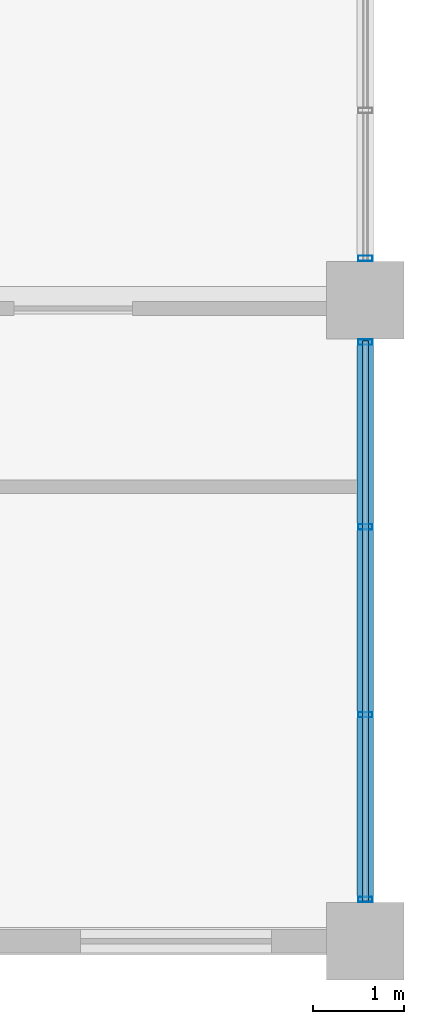
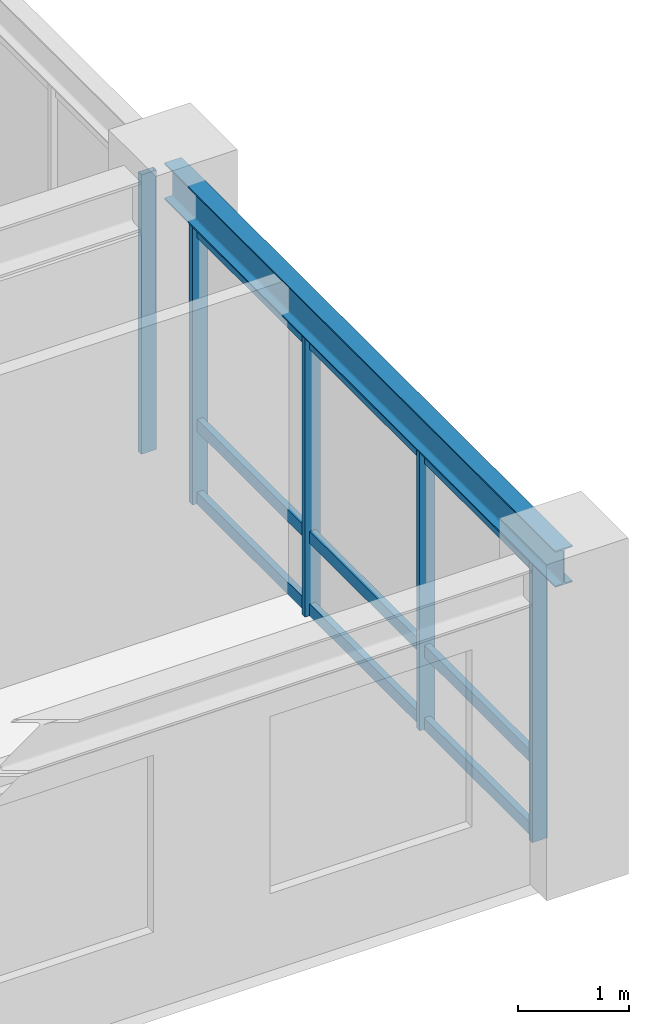
# One storey, part 2 of 11: 8 members, 1 beam, 2 elements without a shape of their own.
"""IFC4 building model written with IfcOpenShell, lengths in metres."""

from ifc_helpers import new_model, si_unit, direction, frame, origin, origin_2d, place, context, subcontext, project, spatial, hollow_rectangle, i_section, extrude, source, transform, mapped, material, layer, layer_set, material_profile, profile_set, type_object, element, aggregate, save


model = new_model("IFC4")

# Units and contexts
model_context = context("Model", 3, precision=1e-05, world=origin(), true_north=direction((0.0, 1.0)))
body_context = subcontext(model_context, "Body", "Model", "MODEL_VIEW")
ifc_project = project(units=[si_unit("LENGTHUNIT", "METRE"), si_unit("AREAUNIT", "SQUARE_METRE"), si_unit("VOLUMEUNIT", "CUBIC_METRE"), si_unit("PLANEANGLEUNIT", "RADIAN"), si_unit("MASSUNIT", "GRAM", prefix="KILO")], contexts=[model_context])

# Site, building, storey
site_placement = place(None, origin())
site = spatial("IfcSite", under=ifc_project, at=site_placement, CompositionType="ELEMENT")
building_placement = place(site_placement, origin())
building = spatial("IfcBuilding", under=site, at=building_placement, Name="Kaliganga Portal Commons", CompositionType="ELEMENT")
storey_placement = place(building_placement, frame((0.0, 0.0, 261.0)))
storey = spatial("IfcBuildingStorey", under=building, at=storey_placement, Name="L67", CompositionType="ELEMENT", Elevation=261.0)

# Beam
ifc_material_1 = material(Name="Structural steel S355J2", Category="steel")
ifc_material_profile_1 = material_profile(ifc_material_1, i_section(OverallWidth=0.179931640625, OverallDepth=0.39990234375, WebThickness=0.008544921875, FlangeThickness=0.013427734375, FilletRadius=0.02099609375, at=origin_2d()), Name="IPE 400")
ifc_profile_set_1 = profile_set([ifc_material_profile_1], Name="Structural steel S355J2 wide-flange")
beam_type = type_object("IfcBeamType", Name="BM-FLR-400", PredefinedType="BEAM", material=ifc_profile_set_1)
shared_shape_1 = source(origin(), body_context, "Body", "SweptSolid", [
    extrude(i_section(OverallWidth=0.179931640625, OverallDepth=0.39990234375, WebThickness=0.008544921875, FlangeThickness=0.013427734375, FilletRadius=0.02099609375, at=origin_2d()), origin(), (0.0, 0.0, 1.0), 7.0498046875),
])
beam_placement = place(storey_placement, frame((46.800048828125, 21.60009765625, 3.27490234375), z_axis=(0.0, 1.0, 0.0), x_axis=(-1.0, 0.0, 0.0)))
element("IfcBeam", 1, at=beam_placement, inside=storey, type_object=beam_type, Name="BM G L67 AS468", PredefinedType="BEAM", context=body_context, shape_type="MappedRepresentation", body=[
    mapped(shared_shape_1, transform((0.0, 0.0, 0.0), x_axis=(1.0, 0.0, 0.0), y_axis=(0.0, 1.0, 0.0), z_axis=(0.0, 0.0, 1.0), scale=1.0)),
])

# Curtain wall, members
ifc_material_2 = material(Name="Anodized Aluminium and Laminated Low-E Glass", Category="aluminium")
ifc_layer = layer(ifc_material_2, 0.18994140625)
ifc_layer_set = layer_set([ifc_layer], Name="Anodized Aluminium and Laminated Low-E Glass")
curtain_wall_type = type_object("IfcCurtainWallType", Name="CW-SYS-05", PredefinedType="NOTDEFINED", material=ifc_layer_set)
curtain_wall_1_placement = place(storey_placement, origin())
curtain_wall_1 = element("IfcCurtainWall", 2, at=curtain_wall_1_placement, inside=storey, type_object=curtain_wall_type, Name="CW 05 L67 P1E01S1", PredefinedType="NOTDEFINED")
ifc_material_3 = material(Name="Dark Bronze Anodized Aluminium", Category="aluminium")
ifc_material_profile_2 = material_profile(ifc_material_3, hollow_rectangle(XDim=0.06005859375, YDim=0.159912109375, WallThickness=0.00341796875, at=origin_2d()), Name="ALU MULL 60x160x3.5")
ifc_profile_set_2 = profile_set([ifc_material_profile_2], Name="Dark Bronze Anodized Aluminium")
member_type_1 = type_object("IfcMemberType", Name="CW-MUL-160", PredefinedType="MULLION", material=ifc_profile_set_2)
shared_shape_2 = source(origin(), body_context, "Body", "SweptSolid", [
    extrude(hollow_rectangle(XDim=0.06005859375, YDim=0.159912109375, WallThickness=0.00341796875, at=origin_2d()), origin(), (0.0, 0.0, 1.0), 3.074951171875),
])
member_1_placement = place(storey_placement, frame((46.800048828125, 22.06103515625, 0.0), z_axis=(0.0, 0.0, 1.0), x_axis=(0.0, 1.0, 0.0)))
member_1 = element("IfcMember", 3, at=member_1_placement, type_object=member_type_1, Name="CW:05:L67:P1E01S1 Mullion 00", PredefinedType="MULLION", context=body_context, shape_type="MappedRepresentation", body=[
    mapped(shared_shape_2, transform((0.0, 0.0, 0.0), x_axis=(1.0, 0.0, 0.0), y_axis=(0.0, 1.0, 0.0), z_axis=(0.0, 0.0, 1.0), scale=1.0)),
])
member_2_placement = place(storey_placement, frame((46.800048828125, 24.092041015625, 0.0), z_axis=(0.0, 0.0, 1.0), x_axis=(0.0, 1.0, 0.0)))
member_2 = element("IfcMember", 4, at=member_2_placement, type_object=member_type_1, Name="CW:05:L67:P1E01S1 Mullion 01", PredefinedType="MULLION", context=body_context, shape_type="MappedRepresentation", body=[
    mapped(shared_shape_2, transform((0.0, 0.0, 0.0), x_axis=(1.0, 0.0, 0.0), y_axis=(0.0, 1.0, 0.0), z_axis=(0.0, 0.0, 1.0), scale=1.0)),
])
member_3_placement = place(storey_placement, frame((46.800048828125, 26.157958984375, 0.0), z_axis=(0.0, 0.0, 1.0), x_axis=(0.0, 1.0, 0.0)))
member_3 = element("IfcMember", 5, at=member_3_placement, type_object=member_type_1, Name="CW:05:L67:P1E01S1 Mullion 02", PredefinedType="MULLION", context=body_context, shape_type="MappedRepresentation", body=[
    mapped(shared_shape_2, transform((0.0, 0.0, 0.0), x_axis=(1.0, 0.0, 0.0), y_axis=(0.0, 1.0, 0.0), z_axis=(0.0, 0.0, 1.0), scale=1.0)),
])
member_4_placement = place(storey_placement, frame((46.800048828125, 28.18896484375, 0.0), z_axis=(0.0, 0.0, 1.0), x_axis=(0.0, 1.0, 0.0)))
member_4 = element("IfcMember", 6, at=member_4_placement, type_object=member_type_1, Name="CW:05:L67:P1E01S1 Mullion 03", PredefinedType="MULLION", context=body_context, shape_type="MappedRepresentation", body=[
    mapped(shared_shape_2, transform((0.0, 0.0, 0.0), x_axis=(1.0, 0.0, 0.0), y_axis=(0.0, 1.0, 0.0), z_axis=(0.0, 0.0, 1.0), scale=1.0)),
])

# Curtain wall, member
curtain_wall_2_placement = place(storey_placement, origin())
curtain_wall_2 = element("IfcCurtainWall", 7, at=curtain_wall_2_placement, inside=storey, type_object=curtain_wall_type, Name="CW 05 L67 P1E01S2", PredefinedType="NOTDEFINED")
member_5_placement = place(storey_placement, frame((46.800048828125, 29.111083984375, 0.0), z_axis=(0.0, 0.0, 1.0), x_axis=(0.0, 1.0, 0.0)))
member_5 = element("IfcMember", 8, at=member_5_placement, type_object=member_type_1, Name="CW:05:L67:P1E01S2 Mullion 00", PredefinedType="MULLION", context=body_context, shape_type="MappedRepresentation", body=[
    mapped(shared_shape_2, transform((0.0, 0.0, 0.0), x_axis=(1.0, 0.0, 0.0), y_axis=(0.0, 1.0, 0.0), z_axis=(0.0, 0.0, 1.0), scale=1.0)),
])
aggregate(curtain_wall_2, [member_5])

# Member
ifc_material_profile_3 = material_profile(ifc_material_3, hollow_rectangle(XDim=0.06494140625, YDim=0.135009765625, WallThickness=0.00341796875, at=origin_2d()), Name="ALU TRAN 65x135x3.5")
ifc_profile_set_3 = profile_set([ifc_material_profile_3], Name="Dark Bronze Anodized Aluminium")
member_type_2 = type_object("IfcMemberType", Name="CW-TRN-135", PredefinedType="USERDEFINED", material=ifc_profile_set_3)
shared_shape_3 = source(origin(), body_context, "Body", "SweptSolid", [
    extrude(hollow_rectangle(XDim=0.06494140625, YDim=0.135009765625, WallThickness=0.00341796875, at=origin_2d()), origin(), (0.0, 0.0, 1.0), 6.158203125),
])
member_6_placement = place(storey_placement, frame((46.800048828125, 22.0458984375, 0.06005859375), z_axis=(0.0, 1.0, 0.0), x_axis=(-1.0, 0.0, 0.0)))
member_6 = element("IfcMember", 9, at=member_6_placement, type_object=member_type_2, Name="CW:05:L67:P1E01S1 Transom 1", ObjectType="TRANSOM", PredefinedType="USERDEFINED", context=body_context, shape_type="MappedRepresentation", body=[
    mapped(shared_shape_3, transform((0.0, 0.0, 0.0), x_axis=(1.0, 0.0, 0.0), y_axis=(0.0, 1.0, 0.0), z_axis=(0.0, 0.0, 1.0), scale=1.0)),
])

member_7_placement = place(storey_placement, frame((46.800048828125, 22.0458984375, 0.861083984375), z_axis=(0.0, 1.0, 0.0), x_axis=(-1.0, 0.0, 0.0)))
member_7 = element("IfcMember", 10, at=member_7_placement, type_object=member_type_2, Name="CW:05:L67:P1E01S1 Transom 2", ObjectType="TRANSOM", PredefinedType="USERDEFINED", context=body_context, shape_type="MappedRepresentation", body=[
    mapped(shared_shape_3, transform((0.0, 0.0, 0.0), x_axis=(1.0, 0.0, 0.0), y_axis=(0.0, 1.0, 0.0), z_axis=(0.0, 0.0, 1.0), scale=1.0)),
])

member_8_placement = place(storey_placement, frame((46.800048828125, 22.0458984375, 2.9951171875), z_axis=(0.0, 1.0, 0.0), x_axis=(-1.0, 0.0, 0.0)))
member_8 = element("IfcMember", 11, at=member_8_placement, type_object=member_type_2, Name="CW:05:L67:P1E01S1 Transom 3", ObjectType="TRANSOM", PredefinedType="USERDEFINED", context=body_context, shape_type="MappedRepresentation", body=[
    mapped(shared_shape_3, transform((0.0, 0.0, 0.0), x_axis=(1.0, 0.0, 0.0), y_axis=(0.0, 1.0, 0.0), z_axis=(0.0, 0.0, 1.0), scale=1.0)),
])

aggregate(curtain_wall_1, [member_1, member_2, member_3, member_4, member_6, member_7, member_8])

save(model, "model.ifc")
